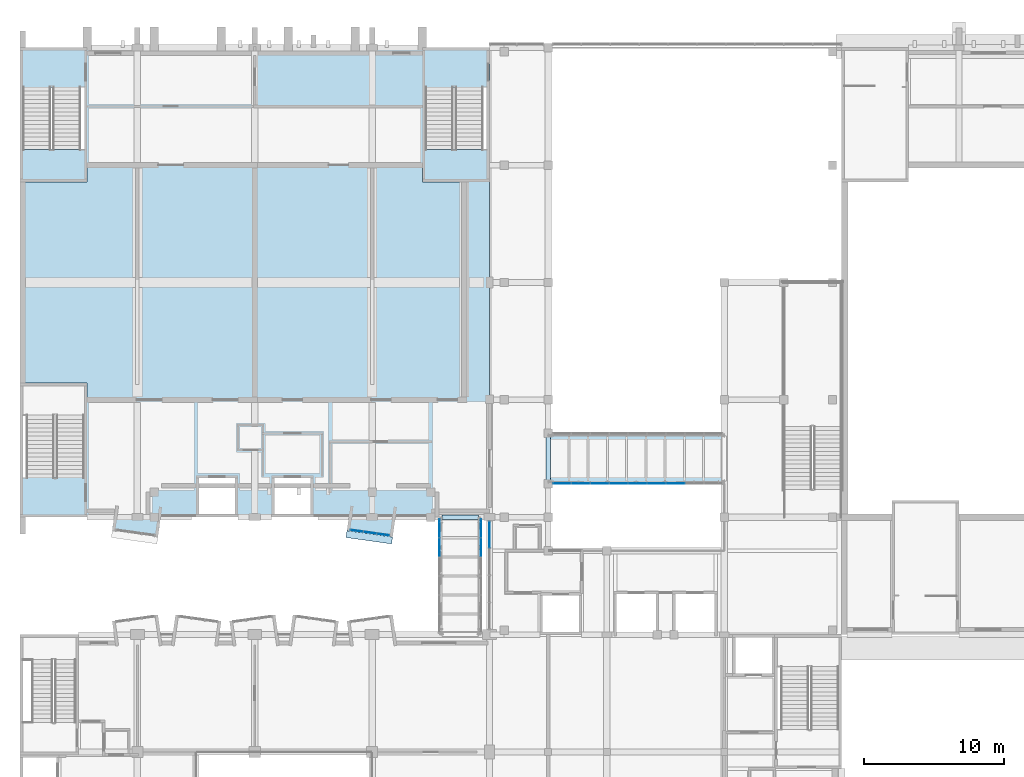
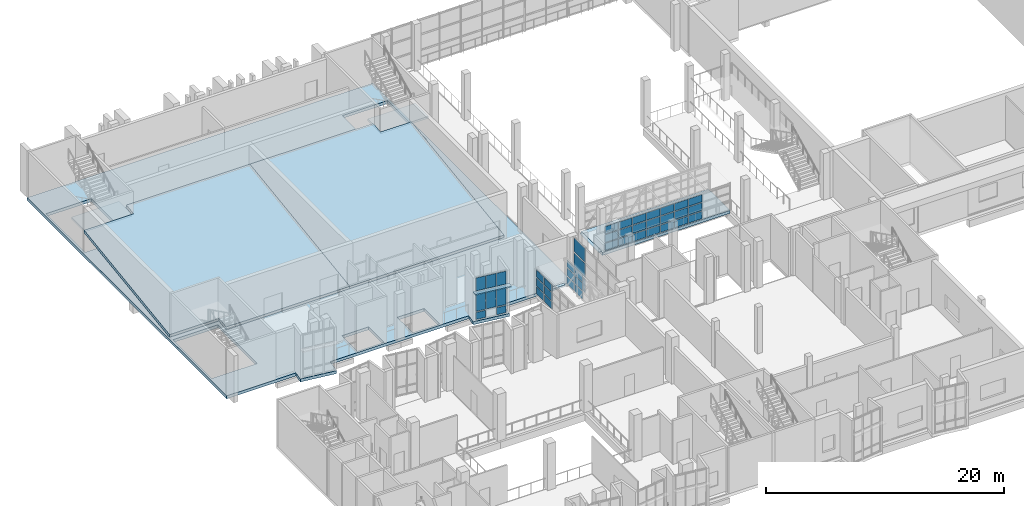
# One storey, part 32 of 86: 47 plates, 6 slabs, 7 elements without a shape of their own.
"""IFC4 building model written with IfcOpenShell, lengths in metres."""

from ifc_helpers import new_model, si_unit, direction, frame, origin, origin_2d, place, context, subcontext, project, spatial, polyline, rectangle, outline, extrude, material, layer, layer_set, type_object, element, aggregate, save


model = new_model("IFC4")

# Units and contexts
model_context = context("Model", 3, precision=1e-05, world=origin(), true_north=direction((0.0, 1.0)))
body_context = subcontext(model_context, "Body", "Model", "MODEL_VIEW")
ifc_project = project(units=[si_unit("LENGTHUNIT", "METRE"), si_unit("AREAUNIT", "SQUARE_METRE"), si_unit("VOLUMEUNIT", "CUBIC_METRE"), si_unit("PLANEANGLEUNIT", "RADIAN"), si_unit("MASSUNIT", "GRAM", prefix="KILO")], contexts=[model_context])

# Site, building, storey
site_placement = place(None, origin())
site = spatial("IfcSite", under=ifc_project, at=site_placement, CompositionType="ELEMENT")
building_placement = place(site_placement, origin())
building = spatial("IfcBuilding", under=site, at=building_placement, Name="Kiln Court Media Centre", CompositionType="ELEMENT")
storey_placement = place(building_placement, frame((0.0, 0.0, 10.199951171875)))
storey = spatial("IfcBuildingStorey", under=building, at=storey_placement, Name="L02", CompositionType="ELEMENT", Elevation=10.199951171875)

# Slabs
ifc_material_1 = material(Name="Concrete C30/37", Category="concrete")
ifc_layer_1 = layer(ifc_material_1, 0.300048828125)
ifc_layer_set_1 = layer_set([ifc_layer_1], Name="Concrete C30/37 bridge deck slab 300")
slab_type_1 = type_object("IfcSlabType", Name="Concrete C30/37 bridge deck slab 300", PredefinedType="FLOOR", material=ifc_layer_set_1)
slab_1_placement = place(storey_placement, frame((0.0, 0.0, -0.300048828125)))
element("IfcSlab", 1, at=slab_1_placement, inside=storey, type_object=slab_type_1, Name="bridge BR-L02-FOY-11 deck bridge deck slab", PredefinedType="FLOOR", context=body_context, shape_type="SweptSolid", body=[
    extrude(outline(polyline([(37.89990234375, 36.0), (50.300048828125, 36.0), (50.300048828125, 39.60009765625), (37.89990234375, 39.60009765625), (37.89990234375, 36.0)])), origin(), (0.0, 0.0, 1.0), 0.300048828125),
])
ifc_material_2 = material(Name="Concrete C30/37", Category="concrete")
ifc_layer_2 = layer(ifc_material_2, 0.300048828125)
ifc_layer_set_2 = layer_set([ifc_layer_2], Name="Concrete C30/37 floor slab 300")
slab_type_2 = type_object("IfcSlabType", Name="Concrete C30/37 floor slab 300", PredefinedType="FLOOR", material=ifc_layer_set_2)
slab_2_placement = place(storey_placement, frame((0.0, 0.0, -0.300048828125)))
element("IfcSlab", 2, at=slab_2_placement, inside=storey, type_object=slab_type_2, Name="L02-SL-1002", PredefinedType="FLOOR", context=body_context, shape_type="SweptSolid", body=[
    extrude(outline(polyline([(9.866943359375, 32.181396484375), (6.598876953125, 32.640869140625), (6.733154296875, 33.599609375), (0.0, 33.60009765625), (0.0, 67.199951171875), (33.60009765625, 67.199951171875), (33.60009765625, 33.60009765625), (26.86669921875, 33.599609375), (26.6669921875, 32.181396484375), (23.39892578125, 32.640869140625), (23.533203125, 33.599609375), (10.066650390625, 33.599609375), (9.866943359375, 32.181396484375)]), holes=[polyline([(12.800048828125, 33.800048828125), (15.39990234375, 33.800048828125), (15.39990234375, 36.39990234375), (12.800048828125, 36.39990234375), (12.800048828125, 33.800048828125)]), polyline([(18.199951171875, 33.800048828125), (20.800048828125, 33.800048828125), (20.800048828125, 36.39990234375), (18.199951171875, 36.39990234375), (18.199951171875, 33.800048828125)]), polyline([(0.199951171875, 36.43994140625), (4.60009765625, 36.43994140625), (4.60009765625, 43.0), (0.199951171875, 43.0), (0.199951171875, 36.43994140625)]), polyline([(0.199951171875, 57.800048828125), (4.60009765625, 57.800048828125), (4.60009765625, 64.360107421875), (0.199951171875, 64.360107421875), (0.199951171875, 57.800048828125)]), polyline([(29.0, 57.800048828125), (33.39990234375, 57.800048828125), (33.39990234375, 64.360107421875), (29.0, 64.360107421875), (29.0, 57.800048828125)])]), origin(), (0.0, 0.0, 1.0), 0.300048828125),
])
ifc_material_3 = material(Name="Concrete C30/37", Category="concrete")
ifc_layer_3 = layer(ifc_material_3, 0.300048828125)
ifc_layer_set_3 = layer_set([ifc_layer_3], Name="Concrete C30/37 raked slab 300")
slab_type_3 = type_object("IfcSlabType", Name="Concrete C30/37 raked slab 300", PredefinedType="FLOOR", material=ifc_layer_set_3)
slab_3_placement = place(storey_placement, frame((4.800048828125, 42.0, 0.300048828125), z_axis=(0.0, -0.138651334272, 0.990341258105), x_axis=(0.0, 0.990341258105, 0.138651334272)))
element("IfcSlab", 3, at=slab_3_placement, inside=storey, type_object=slab_type_3, Name="L02-SL-1017", PredefinedType="FLOOR", context=body_context, shape_type="SweptSolid", body=[
    extrude(outline(polyline([(0.0, 0.0), (1.2116502445225141, 0.0), (1.2116502445225141, 4.800048828125), (15.752246227240647, 4.800048828125), (15.752246227240647, 0.0), (16.963896471763164, 0.0), (16.963896471763164, -12.0), (0.0, -12.0), (0.0, 0.0)])), origin(), (0.0, 0.0, -1.0), 0.300048828125),
])
slab_4_placement = place(storey_placement, frame((16.800048828125, 42.0, 0.300048828125), z_axis=(-9.2274e-07, -0.138650708469, 0.990341345719), x_axis=(0.0, 0.990341345719, 0.13865070847)))
element("IfcSlab", 4, at=slab_4_placement, inside=storey, type_object=slab_type_3, Name="L02-SL-1018", PredefinedType="FLOOR", context=body_context, shape_type="SweptSolid", body=[
    extrude(outline(polyline([(0.0, 0.0), (16.96389647177005, 0.0), (16.963896471766436, -11.999999999994891), (15.752246227226186, -12.000000000020071), (15.752246227225282, -15.000000000018796), (-4.5172637712289254e-12, -14.999999999993616), (0.0, 0.0)])), origin(), (0.0, 0.0, -1.0), 0.300048828125),
])

# Plate
ifc_material_4 = material(Name="Concrete C30/37", Category="concrete")
ifc_layer_4 = layer(ifc_material_4, 0.1201171875)
ifc_layer_set_4 = layer_set([ifc_layer_4], Name="Concrete C30/37 sunshade hood 120")
plate_type_1 = type_object("IfcPlateType", Name="Concrete C30/37 sunshade hood 120", PredefinedType="USERDEFINED", material=ifc_layer_set_4)
plate_1_placement = place(storey_placement, frame((0.0, 0.0, 3.0)))
element("IfcPlate", 5, at=plate_1_placement, inside=storey, type_object=plate_type_1, Name="SUNSHADE V4-S-L02-14", ObjectType="SUNSHADE", PredefinedType="USERDEFINED", context=body_context, shape_type="SweptSolid", body=[
    extrude(outline(polyline([(23.39892578125, 32.641357421875), (26.6669921875, 32.181884765625), (26.597412109375, 31.68701171875), (23.32958984375, 32.146240234375), (23.39892578125, 32.641357421875)])), origin(), (0.0, 0.0, 1.0), 0.1201171875),
])

# Stair, slab
ifc_material_5 = material(Name="Concrete C40/50", Category="concrete")
stair_type = type_object("IfcStairType", Name="Concrete C40/50 dog-leg stair 2000 wide, 150 riser", PredefinedType="HALF_TURN_STAIR", material=ifc_material_5)
stair_1_placement = place(storey_placement, origin())
stair_1 = element("IfcStair", 6, at=stair_1_placement, inside=storey, type_object=stair_type, Name="ST-07 L02", PredefinedType="HALF_TURN_STAIR")
ifc_material_6 = material(Name="Concrete C40/50", Category="concrete")
ifc_layer_5 = layer(ifc_material_6, 0.199951171875)
ifc_layer_set_5 = layer_set([ifc_layer_5], Name="Concrete C40/50 stair landing 200")
slab_type_4 = type_object("IfcSlabType", Name="Concrete C40/50 stair landing 200", PredefinedType="LANDING", material=ifc_layer_set_5)
slab_5_placement = place(storey_placement, frame((0.0, 0.0, 2.199951171875)))
slab_5 = element("IfcSlab", 7, at=slab_5_placement, type_object=slab_type_4, Name="L02-ST-5006 landing 5006", PredefinedType="LANDING", context=body_context, shape_type="SweptSolid", body=[
    extrude(outline(polyline([(0.080078125, 59.89990234375), (0.080078125, 57.679931640625), (4.719970703125, 57.679931640625), (4.719970703125, 59.89990234375), (0.080078125, 59.89990234375)])), origin(), (0.0, 0.0, 1.0), 0.2001953125),
])
aggregate(stair_1, [slab_5])

stair_2_placement = place(storey_placement, origin())
stair_2 = element("IfcStair", 8, at=stair_2_placement, inside=storey, type_object=stair_type, Name="ST-08 L02", PredefinedType="HALF_TURN_STAIR")
slab_6_placement = place(storey_placement, frame((0.0, 0.0, 2.199951171875)))
slab_6 = element("IfcSlab", 9, at=slab_6_placement, type_object=slab_type_4, Name="L02-ST-5007 landing 5007", PredefinedType="LANDING", context=body_context, shape_type="SweptSolid", body=[
    extrude(outline(polyline([(28.8798828125, 59.89990234375), (28.8798828125, 57.679931640625), (33.52001953125, 57.679931640625), (33.52001953125, 59.89990234375), (28.8798828125, 59.89990234375)])), origin(), (0.0, 0.0, 1.0), 0.2001953125),
])
aggregate(stair_2, [slab_6])

# Curtain wall, plates
ifc_material_7 = material(Name="Aluminium 6063-T6", Category="aluminium")
ifc_layer_6 = layer(ifc_material_7, 0.1201171875)
ifc_layer_set_6 = layer_set([ifc_layer_6], Name="Aluminium unitised curtain wall, bridge")
curtain_wall_type_1 = type_object("IfcCurtainWallType", Name="Aluminium unitised curtain wall, bridge", PredefinedType="USERDEFINED", material=ifc_layer_set_6)
curtain_wall_1_placement = place(storey_placement, origin())
curtain_wall_1 = element("IfcCurtainWall", 10, at=curtain_wall_1_placement, inside=storey, type_object=curtain_wall_type_1, Name="BR-1 side glazing", ObjectType="UNITISED CURTAIN WALL", PredefinedType="USERDEFINED")
ifc_material_8 = material(Name="Aluminium insulated spandrel", Category="aluminium")
ifc_layer_7 = layer(ifc_material_8, 0.028076171875)
ifc_layer_set_7 = layer_set([ifc_layer_7], Name="Insulated aluminium spandrel panel 28")
plate_type_2 = type_object("IfcPlateType", Name="Insulated aluminium spandrel panel 28", PredefinedType="CURTAIN_PANEL", material=ifc_layer_set_7)
plate_2_placement = place(storey_placement, frame((30.014892578125, 31.449951171875, 0.10009765625), z_axis=(0.0, 0.0, 1.0), x_axis=(0.0, 1.0, 0.0)))
plate_2 = element("IfcPlate", 11, at=plate_2_placement, type_object=plate_type_2, Name="CW2-63 panel 5.1", PredefinedType="CURTAIN_PANEL", context=body_context, shape_type="SweptSolid", body=[
    extrude(rectangle(XDim=1.316650390625, YDim=0.028076171875, at=origin_2d()), origin(), (0.0, 0.0, 1.0), 0.74169921875),
])
plate_3_placement = place(storey_placement, frame((30.014892578125, 31.449951171875, 1.833251953125), z_axis=(0.0, 0.0, 1.0), x_axis=(0.0, 1.0, 0.0)))
plate_3 = element("IfcPlate", 12, at=plate_3_placement, type_object=plate_type_2, Name="CW2-63 panel 5.3", PredefinedType="CURTAIN_PANEL", context=body_context, shape_type="SweptSolid", body=[
    extrude(rectangle(XDim=1.316650390625, YDim=0.028076171875, at=origin_2d()), origin(), (0.0, 0.0, 1.0), 0.74169921875),
])
plate_4_placement = place(storey_placement, frame((30.014892578125, 32.80419921875, 0.10009765625), z_axis=(0.0, 0.0, 1.0), x_axis=(0.0, 1.0, 0.0)))
plate_4 = element("IfcPlate", 13, at=plate_4_placement, type_object=plate_type_2, Name="CW2-63 panel 6.1", PredefinedType="CURTAIN_PANEL", context=body_context, shape_type="SweptSolid", body=[
    extrude(rectangle(XDim=1.291748046875, YDim=0.028076171875, at=origin_2d()), origin(), (0.0, 0.0, 1.0), 0.74169921875),
])
plate_5_placement = place(storey_placement, frame((30.014892578125, 32.80419921875, 0.94189453125), z_axis=(0.0, 0.0, 1.0), x_axis=(0.0, 1.0, 0.0)))
plate_5 = element("IfcPlate", 14, at=plate_5_placement, type_object=plate_type_2, Name="CW2-63 panel 6.2", PredefinedType="CURTAIN_PANEL", context=body_context, shape_type="SweptSolid", body=[
    extrude(rectangle(XDim=1.291748046875, YDim=0.028076171875, at=origin_2d()), origin(), (0.0, 0.0, 1.0), 0.79150390625),
])

curtain_wall_2_placement = place(storey_placement, origin())
curtain_wall_2 = element("IfcCurtainWall", 15, at=curtain_wall_2_placement, inside=storey, type_object=curtain_wall_type_1, Name="BR-1 side glazing", ObjectType="UNITISED CURTAIN WALL", PredefinedType="USERDEFINED")
plate_6_placement = place(storey_placement, frame((32.985107421875, 31.449951171875, 0.10009765625), z_axis=(0.0, 0.0, 1.0), x_axis=(0.0, 1.0, 0.0)))
plate_6 = element("IfcPlate", 16, at=plate_6_placement, type_object=plate_type_2, Name="CW2-64 panel 5.1", PredefinedType="CURTAIN_PANEL", context=body_context, shape_type="SweptSolid", body=[
    extrude(rectangle(XDim=1.316650390625, YDim=0.028076171875, at=origin_2d()), origin(), (0.0, 0.0, 1.0), 0.74169921875),
])
plate_7_placement = place(storey_placement, frame((32.985107421875, 31.449951171875, 1.833251953125), z_axis=(0.0, 0.0, 1.0), x_axis=(0.0, 1.0, 0.0)))
plate_7 = element("IfcPlate", 17, at=plate_7_placement, type_object=plate_type_2, Name="CW2-64 panel 5.3", PredefinedType="CURTAIN_PANEL", context=body_context, shape_type="SweptSolid", body=[
    extrude(rectangle(XDim=1.316650390625, YDim=0.028076171875, at=origin_2d()), origin(), (0.0, 0.0, 1.0), 0.74169921875),
])
plate_8_placement = place(storey_placement, frame((32.985107421875, 32.80419921875, 0.10009765625), z_axis=(0.0, 0.0, 1.0), x_axis=(0.0, 1.0, 0.0)))
plate_8 = element("IfcPlate", 18, at=plate_8_placement, type_object=plate_type_2, Name="CW2-64 panel 6.1", PredefinedType="CURTAIN_PANEL", context=body_context, shape_type="SweptSolid", body=[
    extrude(rectangle(XDim=1.291748046875, YDim=0.028076171875, at=origin_2d()), origin(), (0.0, 0.0, 1.0), 0.74169921875),
])
plate_9_placement = place(storey_placement, frame((32.985107421875, 32.80419921875, 0.94189453125), z_axis=(0.0, 0.0, 1.0), x_axis=(0.0, 1.0, 0.0)))
plate_9 = element("IfcPlate", 19, at=plate_9_placement, type_object=plate_type_2, Name="CW2-64 panel 6.2", PredefinedType="CURTAIN_PANEL", context=body_context, shape_type="SweptSolid", body=[
    extrude(rectangle(XDim=1.291748046875, YDim=0.028076171875, at=origin_2d()), origin(), (0.0, 0.0, 1.0), 0.79150390625),
])

curtain_wall_3_placement = place(storey_placement, origin())
curtain_wall_3 = element("IfcCurtainWall", 20, at=curtain_wall_3_placement, inside=storey, type_object=curtain_wall_type_1, Name="BR-L02-FOY-11 side glazing", ObjectType="UNITISED CURTAIN WALL", PredefinedType="USERDEFINED")
plate_10_placement = place(storey_placement, frame((38.790283203125, 36.014892578125, 0.10009765625), z_axis=(0.0, 0.0, 1.0), x_axis=(1.0, 0.0, 0.0)))
plate_10 = element("IfcPlate", 21, at=plate_10_placement, type_object=plate_type_2, Name="CW2-67 panel 1.1", PredefinedType="CURTAIN_PANEL", context=body_context, shape_type="SweptSolid", body=[
    extrude(rectangle(XDim=1.280517578125, YDim=0.028076171875, at=origin_2d()), origin(), (0.0, 0.0, 1.0), 0.74169921875),
])
plate_11_placement = place(storey_placement, frame((38.790283203125, 36.014892578125, 0.94189453125), z_axis=(0.0, 0.0, 1.0), x_axis=(1.0, 0.0, 0.0)))
plate_11 = element("IfcPlate", 22, at=plate_11_placement, type_object=plate_type_2, Name="CW2-67 panel 1.2", PredefinedType="CURTAIN_PANEL", context=body_context, shape_type="SweptSolid", body=[
    extrude(rectangle(XDim=1.280517578125, YDim=0.028076171875, at=origin_2d()), origin(), (0.0, 0.0, 1.0), 0.79150390625),
])
plate_12_placement = place(storey_placement, frame((40.13330078125, 36.014892578125, 0.10009765625), z_axis=(0.0, 0.0, 1.0), x_axis=(1.0, 0.0, 0.0)))
plate_12 = element("IfcPlate", 23, at=plate_12_placement, type_object=plate_type_2, Name="CW2-67 panel 2.1", PredefinedType="CURTAIN_PANEL", context=body_context, shape_type="SweptSolid", body=[
    extrude(rectangle(XDim=1.3056640625, YDim=0.028076171875, at=origin_2d()), origin(), (0.0, 0.0, 1.0), 0.74169921875),
])
plate_13_placement = place(storey_placement, frame((40.13330078125, 36.014892578125, 1.833251953125), z_axis=(0.0, 0.0, 1.0), x_axis=(1.0, 0.0, 0.0)))
plate_13 = element("IfcPlate", 24, at=plate_13_placement, type_object=plate_type_2, Name="CW2-67 panel 2.3", PredefinedType="CURTAIN_PANEL", context=body_context, shape_type="SweptSolid", body=[
    extrude(rectangle(XDim=1.3056640625, YDim=0.028076171875, at=origin_2d()), origin(), (0.0, 0.0, 1.0), 0.74169921875),
])
plate_14_placement = place(storey_placement, frame((41.48876953125, 36.014892578125, 0.10009765625), z_axis=(0.0, 0.0, 1.0), x_axis=(1.0, 0.0, 0.0)))
plate_14 = element("IfcPlate", 25, at=plate_14_placement, type_object=plate_type_2, Name="CW2-67 panel 3.1", PredefinedType="CURTAIN_PANEL", context=body_context, shape_type="SweptSolid", body=[
    extrude(rectangle(XDim=1.3056640625, YDim=0.028076171875, at=origin_2d()), origin(), (0.0, 0.0, 1.0), 0.74169921875),
])
plate_15_placement = place(storey_placement, frame((41.48876953125, 36.014892578125, 0.94189453125), z_axis=(0.0, 0.0, 1.0), x_axis=(1.0, 0.0, 0.0)))
plate_15 = element("IfcPlate", 26, at=plate_15_placement, type_object=plate_type_2, Name="CW2-67 panel 3.2", PredefinedType="CURTAIN_PANEL", context=body_context, shape_type="SweptSolid", body=[
    extrude(rectangle(XDim=1.3056640625, YDim=0.028076171875, at=origin_2d()), origin(), (0.0, 0.0, 1.0), 0.79150390625),
])
plate_16_placement = place(storey_placement, frame((41.48876953125, 36.014892578125, 1.833251953125), z_axis=(0.0, 0.0, 1.0), x_axis=(1.0, 0.0, 0.0)))
plate_16 = element("IfcPlate", 27, at=plate_16_placement, type_object=plate_type_2, Name="CW2-67 panel 3.3", PredefinedType="CURTAIN_PANEL", context=body_context, shape_type="SweptSolid", body=[
    extrude(rectangle(XDim=1.3056640625, YDim=0.028076171875, at=origin_2d()), origin(), (0.0, 0.0, 1.0), 0.74169921875),
])
plate_17_placement = place(storey_placement, frame((42.844482421875, 36.014892578125, 0.10009765625), z_axis=(0.0, 0.0, 1.0), x_axis=(1.0, 0.0, 0.0)))
plate_17 = element("IfcPlate", 28, at=plate_17_placement, type_object=plate_type_2, Name="CW2-67 panel 4.1", PredefinedType="CURTAIN_PANEL", context=body_context, shape_type="SweptSolid", body=[
    extrude(rectangle(XDim=1.3056640625, YDim=0.028076171875, at=origin_2d()), origin(), (0.0, 0.0, 1.0), 0.74169921875),
])
plate_18_placement = place(storey_placement, frame((42.844482421875, 36.014892578125, 0.94189453125), z_axis=(0.0, 0.0, 1.0), x_axis=(1.0, 0.0, 0.0)))
plate_18 = element("IfcPlate", 29, at=plate_18_placement, type_object=plate_type_2, Name="CW2-67 panel 4.2", PredefinedType="CURTAIN_PANEL", context=body_context, shape_type="SweptSolid", body=[
    extrude(rectangle(XDim=1.3056640625, YDim=0.028076171875, at=origin_2d()), origin(), (0.0, 0.0, 1.0), 0.79150390625),
])
plate_19_placement = place(storey_placement, frame((44.199951171875, 36.014892578125, 0.10009765625), z_axis=(0.0, 0.0, 1.0), x_axis=(1.0, 0.0, 0.0)))
plate_19 = element("IfcPlate", 30, at=plate_19_placement, type_object=plate_type_2, Name="CW2-67 panel 5.1", PredefinedType="CURTAIN_PANEL", context=body_context, shape_type="SweptSolid", body=[
    extrude(rectangle(XDim=1.3056640625, YDim=0.028076171875, at=origin_2d()), origin(), (0.0, 0.0, 1.0), 0.74169921875),
])
plate_20_placement = place(storey_placement, frame((44.199951171875, 36.014892578125, 1.833251953125), z_axis=(0.0, 0.0, 1.0), x_axis=(1.0, 0.0, 0.0)))
plate_20 = element("IfcPlate", 31, at=plate_20_placement, type_object=plate_type_2, Name="CW2-67 panel 5.3", PredefinedType="CURTAIN_PANEL", context=body_context, shape_type="SweptSolid", body=[
    extrude(rectangle(XDim=1.3056640625, YDim=0.028076171875, at=origin_2d()), origin(), (0.0, 0.0, 1.0), 0.74169921875),
])
plate_21_placement = place(storey_placement, frame((45.5556640625, 36.014892578125, 0.10009765625), z_axis=(0.0, 0.0, 1.0), x_axis=(1.0, 0.0, 0.0)))
plate_21 = element("IfcPlate", 32, at=plate_21_placement, type_object=plate_type_2, Name="CW2-67 panel 6.1", PredefinedType="CURTAIN_PANEL", context=body_context, shape_type="SweptSolid", body=[
    extrude(rectangle(XDim=1.3056640625, YDim=0.028076171875, at=origin_2d()), origin(), (0.0, 0.0, 1.0), 0.74169921875),
])
plate_22_placement = place(storey_placement, frame((46.9111328125, 36.014892578125, 0.10009765625), z_axis=(0.0, 0.0, 1.0), x_axis=(1.0, 0.0, 0.0)))
plate_22 = element("IfcPlate", 33, at=plate_22_placement, type_object=plate_type_2, Name="CW2-67 panel 7.1", PredefinedType="CURTAIN_PANEL", context=body_context, shape_type="SweptSolid", body=[
    extrude(rectangle(XDim=1.3056640625, YDim=0.028076171875, at=origin_2d()), origin(), (0.0, 0.0, 1.0), 0.74169921875),
])
plate_23_placement = place(storey_placement, frame((46.9111328125, 36.014892578125, 0.94189453125), z_axis=(0.0, 0.0, 1.0), x_axis=(1.0, 0.0, 0.0)))
plate_23 = element("IfcPlate", 34, at=plate_23_placement, type_object=plate_type_2, Name="CW2-67 panel 7.2", PredefinedType="CURTAIN_PANEL", context=body_context, shape_type="SweptSolid", body=[
    extrude(rectangle(XDim=1.3056640625, YDim=0.028076171875, at=origin_2d()), origin(), (0.0, 0.0, 1.0), 0.79150390625),
])
plate_24_placement = place(storey_placement, frame((46.9111328125, 36.014892578125, 1.833251953125), z_axis=(0.0, 0.0, 1.0), x_axis=(1.0, 0.0, 0.0)))
plate_24 = element("IfcPlate", 35, at=plate_24_placement, type_object=plate_type_2, Name="CW2-67 panel 7.3", PredefinedType="CURTAIN_PANEL", context=body_context, shape_type="SweptSolid", body=[
    extrude(rectangle(XDim=1.3056640625, YDim=0.028076171875, at=origin_2d()), origin(), (0.0, 0.0, 1.0), 0.74169921875),
])

ifc_material_9 = material(Name="Aluminium 6063-T6", Category="aluminium")
ifc_layer_8 = layer(ifc_material_9, 0.1201171875)
ifc_layer_set_8 = layer_set([ifc_layer_8], Name="Aluminium stick curtain wall, gallery")
curtain_wall_type_2 = type_object("IfcCurtainWallType", Name="Aluminium stick curtain wall, gallery", PredefinedType="USERDEFINED", material=ifc_layer_set_8)
curtain_wall_4_placement = place(storey_placement, origin())
curtain_wall_4 = element("IfcCurtainWall", 36, at=curtain_wall_4_placement, inside=storey, type_object=curtain_wall_type_2, Name="Foyer west glazing L02", ObjectType="STICK CURTAIN WALL", PredefinedType="USERDEFINED")
ifc_material_10 = material(Name="Aluminium insulated spandrel", Category="aluminium")
ifc_layer_9 = layer(ifc_material_10, 0.033935546875)
ifc_layer_set_9 = layer_set([ifc_layer_9], Name="Insulated aluminium spandrel panel 34")
plate_type_3 = type_object("IfcPlateType", Name="Insulated aluminium spandrel panel 34", PredefinedType="CURTAIN_PANEL", material=ifc_layer_set_9)
plate_25_placement = place(storey_placement, frame((33.60009765625, 32.360107421875, 0.14013671875), z_axis=(0.0, 0.0, 1.0), x_axis=(0.0, 1.0, 0.0)))
plate_25 = element("IfcPlate", 37, at=plate_25_placement, type_object=plate_type_3, Name="CW2-62 panel 4.1", PredefinedType="CURTAIN_PANEL", context=body_context, shape_type="SweptSolid", body=[
    extrude(rectangle(XDim=1.860107421875, YDim=0.033935546875, at=origin_2d()), origin(), (0.0, 0.0, 1.0), 1.389892578125),
])
plate_26_placement = place(storey_placement, frame((33.60009765625, 32.360107421875, 1.670166015625), z_axis=(0.0, 0.0, 1.0), x_axis=(0.0, 1.0, 0.0)))
plate_26 = element("IfcPlate", 38, at=plate_26_placement, type_object=plate_type_3, Name="CW2-62 panel 4.2", PredefinedType="CURTAIN_PANEL", context=body_context, shape_type="SweptSolid", body=[
    extrude(rectangle(XDim=1.860107421875, YDim=0.033935546875, at=origin_2d()), origin(), (0.0, 0.0, 1.0), 1.4599609375),
])

ifc_material_11 = material(Name="Aluminium 6063-T6", Category="aluminium")
ifc_layer_10 = layer(ifc_material_11, 0.1201171875)
ifc_layer_set_10 = layer_set([ifc_layer_10], Name="Aluminium unitised bay curtain wall")
curtain_wall_type_3 = type_object("IfcCurtainWallType", Name="Aluminium unitised bay curtain wall", PredefinedType="USERDEFINED", material=ifc_layer_set_10)
curtain_wall_5_placement = place(storey_placement, origin())
curtain_wall_5 = element("IfcCurtainWall", 39, at=curtain_wall_5_placement, inside=storey, type_object=curtain_wall_type_3, Name="BAY V4-S-L02-14 front", ObjectType="UNITISED CURTAIN WALL", PredefinedType="USERDEFINED")
ifc_material_12 = material(Name="Aluminium insulated spandrel", Category="aluminium")
ifc_layer_11 = layer(ifc_material_12, 0.028076171875)
ifc_layer_set_11 = layer_set([ifc_layer_11], Name="Insulated spandrel panel 28")
plate_type_4 = type_object("IfcPlateType", Name="Insulated spandrel panel 28", PredefinedType="CURTAIN_PANEL", material=ifc_layer_set_11)
plate_27_placement = place(storey_placement, frame((24.111572265625, 32.621826171875, 0.1201171875), z_axis=(0.0, 0.0, 1.0), x_axis=(0.990269562409, -0.139162472554, 0.0)))
plate_27 = element("IfcPlate", 40, at=plate_27_placement, type_object=plate_type_4, Name="CW2-02 panel 1.1", PredefinedType="CURTAIN_PANEL", context=body_context, shape_type="SweptSolid", body=[
    extrude(rectangle(XDim=0.86669921875, YDim=0.028076171875, at=origin_2d()), origin(), (0.0, 0.0, 1.0), 0.719970703125),
])
plate_28_placement = place(storey_placement, frame((25.9765625, 32.35986328125, 0.1201171875), z_axis=(0.0, 0.0, 1.0), x_axis=(0.990269562409, -0.139162472554, 0.0)))
plate_28 = element("IfcPlate", 41, at=plate_28_placement, type_object=plate_type_4, Name="CW2-02 panel 3.1", PredefinedType="CURTAIN_PANEL", context=body_context, shape_type="SweptSolid", body=[
    extrude(rectangle(XDim=0.86669921875, YDim=0.028076171875, at=origin_2d()), origin(), (0.0, 0.0, 1.0), 0.719970703125),
])

# Plate
ifc_material_13 = material(Name="Laminated low-E glazing", Category="glass")
ifc_layer_12 = layer(ifc_material_13, 0.028076171875)
ifc_layer_set_12 = layer_set([ifc_layer_12], Name="Laminated low-E glazed panel 28")
plate_type_5 = type_object("IfcPlateType", Name="Laminated low-E glazed panel 28", PredefinedType="CURTAIN_PANEL", material=ifc_layer_set_12)
plate_29_placement = place(storey_placement, frame((30.014892578125, 31.449951171875, 0.94189453125), z_axis=(0.0, 0.0, 1.0), x_axis=(0.0, 1.0, 0.0)))
plate_29 = element("IfcPlate", 42, at=plate_29_placement, type_object=plate_type_5, Name="CW2-63 panel 5.2", PredefinedType="CURTAIN_PANEL", context=body_context, shape_type="SweptSolid", body=[
    extrude(rectangle(XDim=1.316650390625, YDim=0.028076171875, at=origin_2d()), origin(), (0.0, 0.0, 1.0), 0.79150390625),
])

plate_30_placement = place(storey_placement, frame((30.014892578125, 32.80419921875, 1.833251953125), z_axis=(0.0, 0.0, 1.0), x_axis=(0.0, 1.0, 0.0)))
plate_30 = element("IfcPlate", 43, at=plate_30_placement, type_object=plate_type_5, Name="CW2-63 panel 6.3", PredefinedType="CURTAIN_PANEL", context=body_context, shape_type="SweptSolid", body=[
    extrude(rectangle(XDim=1.291748046875, YDim=0.028076171875, at=origin_2d()), origin(), (0.0, 0.0, 1.0), 0.74169921875),
])

aggregate(curtain_wall_1, [plate_2, plate_29, plate_3, plate_4, plate_5, plate_30])

plate_31_placement = place(storey_placement, frame((32.985107421875, 31.449951171875, 0.94189453125), z_axis=(0.0, 0.0, 1.0), x_axis=(0.0, 1.0, 0.0)))
plate_31 = element("IfcPlate", 44, at=plate_31_placement, type_object=plate_type_5, Name="CW2-64 panel 5.2", PredefinedType="CURTAIN_PANEL", context=body_context, shape_type="SweptSolid", body=[
    extrude(rectangle(XDim=1.316650390625, YDim=0.028076171875, at=origin_2d()), origin(), (0.0, 0.0, 1.0), 0.79150390625),
])

plate_32_placement = place(storey_placement, frame((32.985107421875, 32.80419921875, 1.833251953125), z_axis=(0.0, 0.0, 1.0), x_axis=(0.0, 1.0, 0.0)))
plate_32 = element("IfcPlate", 45, at=plate_32_placement, type_object=plate_type_5, Name="CW2-64 panel 6.3", PredefinedType="CURTAIN_PANEL", context=body_context, shape_type="SweptSolid", body=[
    extrude(rectangle(XDim=1.291748046875, YDim=0.028076171875, at=origin_2d()), origin(), (0.0, 0.0, 1.0), 0.74169921875),
])

aggregate(curtain_wall_2, [plate_6, plate_31, plate_7, plate_8, plate_9, plate_32])

plate_33_placement = place(storey_placement, frame((38.790283203125, 36.014892578125, 1.833251953125), z_axis=(0.0, 0.0, 1.0), x_axis=(1.0, 0.0, 0.0)))
plate_33 = element("IfcPlate", 46, at=plate_33_placement, type_object=plate_type_5, Name="CW2-67 panel 1.3", PredefinedType="CURTAIN_PANEL", context=body_context, shape_type="SweptSolid", body=[
    extrude(rectangle(XDim=1.280517578125, YDim=0.028076171875, at=origin_2d()), origin(), (0.0, 0.0, 1.0), 0.74169921875),
])

plate_34_placement = place(storey_placement, frame((40.13330078125, 36.014892578125, 0.94189453125), z_axis=(0.0, 0.0, 1.0), x_axis=(1.0, 0.0, 0.0)))
plate_34 = element("IfcPlate", 47, at=plate_34_placement, type_object=plate_type_5, Name="CW2-67 panel 2.2", PredefinedType="CURTAIN_PANEL", context=body_context, shape_type="SweptSolid", body=[
    extrude(rectangle(XDim=1.3056640625, YDim=0.028076171875, at=origin_2d()), origin(), (0.0, 0.0, 1.0), 0.79150390625),
])

plate_35_placement = place(storey_placement, frame((42.844482421875, 36.014892578125, 1.833251953125), z_axis=(0.0, 0.0, 1.0), x_axis=(1.0, 0.0, 0.0)))
plate_35 = element("IfcPlate", 48, at=plate_35_placement, type_object=plate_type_5, Name="CW2-67 panel 4.3", PredefinedType="CURTAIN_PANEL", context=body_context, shape_type="SweptSolid", body=[
    extrude(rectangle(XDim=1.3056640625, YDim=0.028076171875, at=origin_2d()), origin(), (0.0, 0.0, 1.0), 0.74169921875),
])

plate_36_placement = place(storey_placement, frame((44.199951171875, 36.014892578125, 0.94189453125), z_axis=(0.0, 0.0, 1.0), x_axis=(1.0, 0.0, 0.0)))
plate_36 = element("IfcPlate", 49, at=plate_36_placement, type_object=plate_type_5, Name="CW2-67 panel 5.2", PredefinedType="CURTAIN_PANEL", context=body_context, shape_type="SweptSolid", body=[
    extrude(rectangle(XDim=1.3056640625, YDim=0.028076171875, at=origin_2d()), origin(), (0.0, 0.0, 1.0), 0.79150390625),
])

plate_37_placement = place(storey_placement, frame((45.5556640625, 36.014892578125, 0.94189453125), z_axis=(0.0, 0.0, 1.0), x_axis=(1.0, 0.0, 0.0)))
plate_37 = element("IfcPlate", 50, at=plate_37_placement, type_object=plate_type_5, Name="CW2-67 panel 6.2", PredefinedType="CURTAIN_PANEL", context=body_context, shape_type="SweptSolid", body=[
    extrude(rectangle(XDim=1.3056640625, YDim=0.028076171875, at=origin_2d()), origin(), (0.0, 0.0, 1.0), 0.79150390625),
])

plate_38_placement = place(storey_placement, frame((45.5556640625, 36.014892578125, 1.833251953125), z_axis=(0.0, 0.0, 1.0), x_axis=(1.0, 0.0, 0.0)))
plate_38 = element("IfcPlate", 51, at=plate_38_placement, type_object=plate_type_5, Name="CW2-67 panel 6.3", PredefinedType="CURTAIN_PANEL", context=body_context, shape_type="SweptSolid", body=[
    extrude(rectangle(XDim=1.3056640625, YDim=0.028076171875, at=origin_2d()), origin(), (0.0, 0.0, 1.0), 0.74169921875),
])

aggregate(curtain_wall_3, [plate_10, plate_11, plate_33, plate_12, plate_34, plate_13, plate_14, plate_15, plate_16, plate_17, plate_18, plate_35, plate_19, plate_36, plate_20, plate_21, plate_37, plate_38, plate_22, plate_23, plate_24])

ifc_material_14 = material(Name="Laminated low-E glazing", Category="glass")
ifc_layer_13 = layer(ifc_material_14, 0.033935546875)
ifc_layer_set_13 = layer_set([ifc_layer_13], Name="Laminated low-E glazed panel 34")
plate_type_6 = type_object("IfcPlateType", Name="Laminated low-E glazed panel 34", PredefinedType="CURTAIN_PANEL", material=ifc_layer_set_13)
plate_39_placement = place(storey_placement, frame((33.60009765625, 32.360107421875, 3.27001953125), z_axis=(0.0, 0.0, 1.0), x_axis=(0.0, 1.0, 0.0)))
plate_39 = element("IfcPlate", 52, at=plate_39_placement, type_object=plate_type_6, Name="CW2-62 panel 4.3", PredefinedType="CURTAIN_PANEL", context=body_context, shape_type="SweptSolid", body=[
    extrude(rectangle(XDim=1.860107421875, YDim=0.033935546875, at=origin_2d()), origin(), (0.0, 0.0, 1.0), 1.389892578125),
])

aggregate(curtain_wall_4, [plate_25, plate_26, plate_39])

ifc_material_15 = material(Name="Low-E double glazing", Category="glass")
ifc_layer_14 = layer(ifc_material_15, 0.028076171875)
ifc_layer_set_14 = layer_set([ifc_layer_14], Name="Low-E double glazed panel 28")
plate_type_7 = type_object("IfcPlateType", Name="Low-E double glazed panel 28", PredefinedType="CURTAIN_PANEL", material=ifc_layer_set_14)
plate_40_placement = place(storey_placement, frame((24.111572265625, 32.621826171875, 0.9599609375), z_axis=(0.0, 0.0, 1.0), x_axis=(0.990269562409, -0.139162472554, 0.0)))
plate_40 = element("IfcPlate", 53, at=plate_40_placement, type_object=plate_type_7, Name="CW2-02 panel 1.2", PredefinedType="CURTAIN_PANEL", context=body_context, shape_type="SweptSolid", body=[
    extrude(rectangle(XDim=0.86669921875, YDim=0.028076171875, at=origin_2d()), origin(), (0.0, 0.0, 1.0), 1.97998046875),
])

plate_41_placement = place(storey_placement, frame((24.111572265625, 32.621826171875, 3.06005859375), z_axis=(0.0, 0.0, 1.0), x_axis=(0.990269562409, -0.139162472554, 0.0)))
plate_41 = element("IfcPlate", 54, at=plate_41_placement, type_object=plate_type_7, Name="CW2-02 panel 1.3", PredefinedType="CURTAIN_PANEL", context=body_context, shape_type="SweptSolid", body=[
    extrude(rectangle(XDim=0.86669921875, YDim=0.028076171875, at=origin_2d()), origin(), (0.0, 0.0, 1.0), 1.320068359375),
])

plate_42_placement = place(storey_placement, frame((25.044189453125, 32.490966796875, 0.9599609375), z_axis=(0.0, 0.0, 1.0), x_axis=(0.990269562409, -0.139162472554, 0.0)))
plate_42 = element("IfcPlate", 55, at=plate_42_placement, type_object=plate_type_7, Name="CW2-02 panel 2.2", PredefinedType="CURTAIN_PANEL", context=body_context, shape_type="SweptSolid", body=[
    extrude(rectangle(XDim=0.896728515625, YDim=0.028076171875, at=origin_2d()), origin(), (0.0, 0.0, 1.0), 1.97998046875),
])

plate_43_placement = place(storey_placement, frame((25.044189453125, 32.490966796875, 3.06005859375), z_axis=(0.0, 0.0, 1.0), x_axis=(0.990269562409, -0.139162472554, 0.0)))
plate_43 = element("IfcPlate", 56, at=plate_43_placement, type_object=plate_type_7, Name="CW2-02 panel 2.3", PredefinedType="CURTAIN_PANEL", context=body_context, shape_type="SweptSolid", body=[
    extrude(rectangle(XDim=0.896728515625, YDim=0.028076171875, at=origin_2d()), origin(), (0.0, 0.0, 1.0), 1.320068359375),
])

plate_44_placement = place(storey_placement, frame((25.9765625, 32.35986328125, 0.9599609375), z_axis=(0.0, 0.0, 1.0), x_axis=(0.990269562409, -0.139162472554, 0.0)))
plate_44 = element("IfcPlate", 57, at=plate_44_placement, type_object=plate_type_7, Name="CW2-02 panel 3.2", PredefinedType="CURTAIN_PANEL", context=body_context, shape_type="SweptSolid", body=[
    extrude(rectangle(XDim=0.86669921875, YDim=0.028076171875, at=origin_2d()), origin(), (0.0, 0.0, 1.0), 1.97998046875),
])

plate_45_placement = place(storey_placement, frame((25.9765625, 32.35986328125, 3.06005859375), z_axis=(0.0, 0.0, 1.0), x_axis=(0.990269562409, -0.139162472554, 0.0)))
plate_45 = element("IfcPlate", 58, at=plate_45_placement, type_object=plate_type_7, Name="CW2-02 panel 3.3", PredefinedType="CURTAIN_PANEL", context=body_context, shape_type="SweptSolid", body=[
    extrude(rectangle(XDim=0.86669921875, YDim=0.028076171875, at=origin_2d()), origin(), (0.0, 0.0, 1.0), 1.320068359375),
])

aggregate(curtain_wall_5, [plate_27, plate_40, plate_41, plate_42, plate_43, plate_28, plate_44, plate_45])

# Plates
ifc_material_16 = material(Name="Steel ASTM A572 Gr 50", Category="steel")
ifc_layer_15 = layer(ifc_material_16, 0.010009765625)
ifc_layer_set_15 = layer_set([ifc_layer_15], Name="Steel ASTM A572 Gr 50 2600x300x10 movement joint cover plate")
plate_type_8 = type_object("IfcPlateType", Name="Steel ASTM A572 Gr 50 2600x300x10 movement joint cover plate", PredefinedType="USERDEFINED", material=ifc_layer_set_15)
plate_46_placement = place(storey_placement, frame((31.5, 33.60009765625, -0.001953125), z_axis=(0.0, 0.0, 1.0), x_axis=(1.0, 0.0, 0.0)))
element("IfcPlate", 59, at=plate_46_placement, inside=storey, type_object=plate_type_8, Name="bridge BR-1 joint 2 movement joint cover plate", ObjectType="MOVEMENT JOINT COVER PLATE", PredefinedType="USERDEFINED", context=body_context, shape_type="SweptSolid", body=[
    extrude(rectangle(XDim=2.60009765625, YDim=0.300048828125, at=origin_2d()), origin(), (0.0, 0.0, 1.0), 0.010009765625),
])
ifc_material_17 = material(Name="Steel ASTM A572 Gr 50", Category="steel")
ifc_layer_16 = layer(ifc_material_17, 0.010009765625)
ifc_layer_set_16 = layer_set([ifc_layer_16], Name="Steel ASTM A572 Gr 50 300x3200x10 movement joint cover plate")
plate_type_9 = type_object("IfcPlateType", Name="Steel ASTM A572 Gr 50 300x3200x10 movement joint cover plate", PredefinedType="USERDEFINED", material=ifc_layer_set_16)
plate_47_placement = place(storey_placement, frame((37.800048828125, 37.800048828125, -0.001953125), z_axis=(0.0, 0.0, 1.0), x_axis=(1.0, 0.0, 0.0)))
element("IfcPlate", 60, at=plate_47_placement, inside=storey, type_object=plate_type_9, Name="bridge BR-L02-FOY-11 joint 1 movement joint cover plate", ObjectType="MOVEMENT JOINT COVER PLATE", PredefinedType="USERDEFINED", context=body_context, shape_type="SweptSolid", body=[
    extrude(rectangle(XDim=0.300048828125, YDim=3.199951171875, at=origin_2d()), origin(), (0.0, 0.0, 1.0), 0.010009765625),
])

save(model, "model.ifc")
